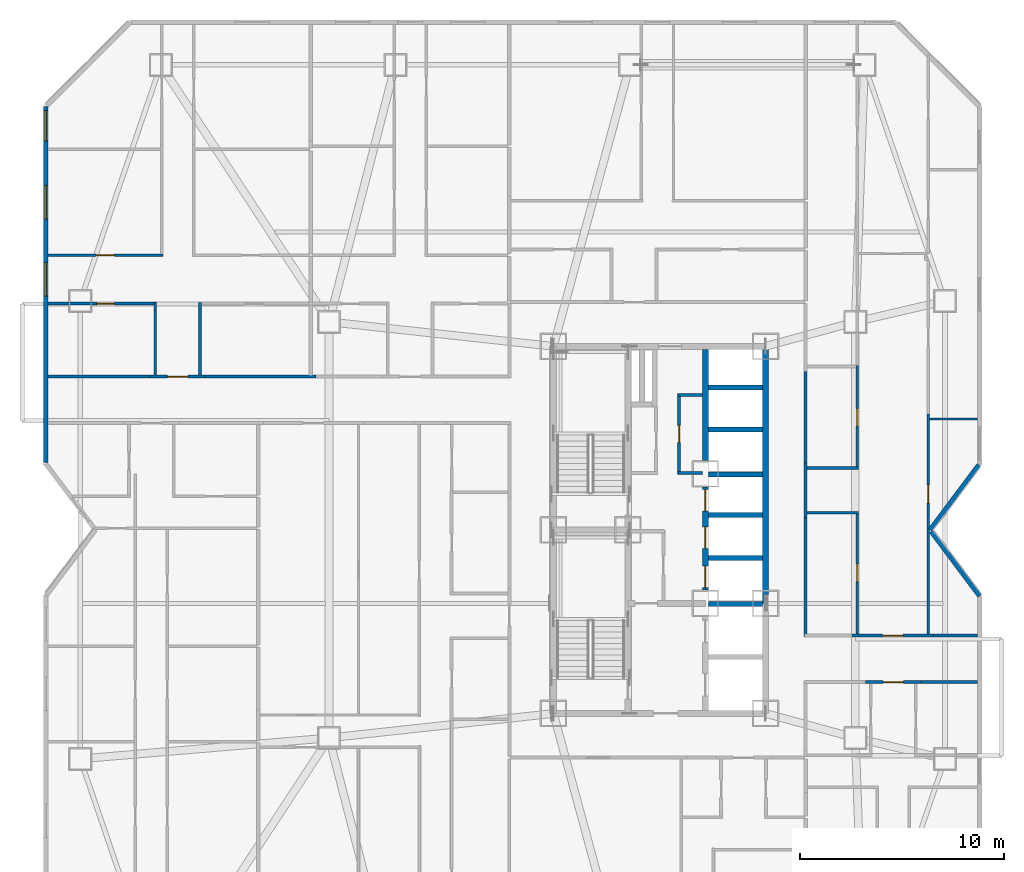
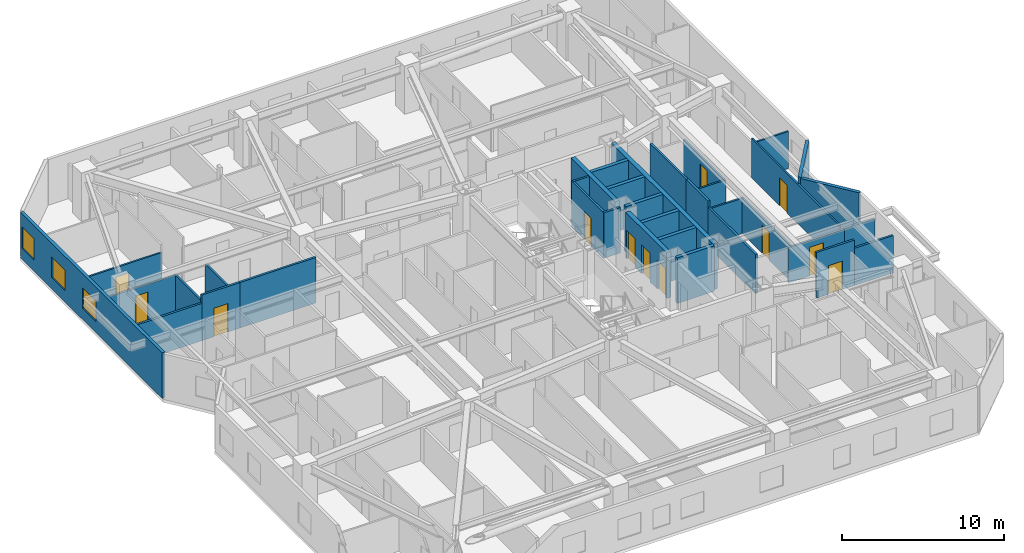
# One storey, part 11 of 17: 35 walls, 12 doors, 3 windows, 15 openings.
"""IFC4 building model written with IfcOpenShell, lengths in metres."""

from ifc_helpers import new_model, si_unit, direction, frame, frame_2d, origin, place, context, subcontext, project, spatial, rectangle, extrude, material, layer, layer_set, type_object, element, fill, save


model = new_model("IFC4")

# Units and contexts
model_context = context("Model", 3, precision=1e-05, world=origin(), true_north=direction((0.0, 1.0)))
body_context = subcontext(model_context, "Body", "Model", "MODEL_VIEW")
ifc_project = project(units=[si_unit("LENGTHUNIT", "METRE"), si_unit("AREAUNIT", "SQUARE_METRE"), si_unit("VOLUMEUNIT", "CUBIC_METRE"), si_unit("PLANEANGLEUNIT", "RADIAN"), si_unit("MASSUNIT", "GRAM", prefix="KILO")], contexts=[model_context])

# Site, building, storey
site_placement = place(None, origin())
site = spatial("IfcSite", under=ifc_project, at=site_placement, CompositionType="ELEMENT")
building_placement = place(site_placement, origin())
building = spatial("IfcBuilding", under=site, at=building_placement, Name="Khamvora Tower", CompositionType="ELEMENT")
storey_placement = place(building_placement, frame((0.0, 0.0, 73.449951171875)))
storey = spatial("IfcBuildingStorey", under=building, at=storey_placement, Name="L18", CompositionType="ELEMENT", Elevation=73.449951171875)

# Wall
ifc_material_1 = material(Name="Concrete C50/60", Category="concrete")
ifc_layer_1 = layer(ifc_material_1, 0.300048828125)
ifc_layer_set_1 = layer_set([ifc_layer_1], Name="Concrete C50/60")
wall_type_1 = type_object("IfcWallType", Name="WAL-CORE-300", PredefinedType="SHEAR", material=ifc_layer_set_1)
wall_1_placement = place(storey_placement, frame((39.39990234375, 24.39990234375, 0.0), z_axis=(0.0, 0.0, 1.0), x_axis=(0.0, 1.0, 0.0)))
element("IfcWall", 1, at=wall_1_placement, inside=storey, type_object=wall_type_1, Name="L18 central core east north wall", PredefinedType="SHEAR", context=body_context, shape_type="SweptSolid", body=[
    extrude(rectangle(XDim=12.60009765625, YDim=0.300048828125, at=frame_2d((6.300048828125, 0.0))), origin(), (0.0, 0.0, 1.0), 3.429931640625),
])

# Wall, openings, doors
wall_2_placement = place(storey_placement, frame((36.449951171875, 25.050048828125, 0.0), z_axis=(0.0, 0.0, 1.0), x_axis=(0.0, 1.0, 0.0)))
wall_2 = element("IfcWall", 2, at=wall_2_placement, inside=storey, type_object=wall_type_1, Name="L18 central core lift bank central wall", PredefinedType="SHEAR", context=body_context, shape_type="SweptSolid", body=[
    extrude(rectangle(XDim=5.050048828125, YDim=0.300048828125, at=frame_2d((2.52490234375, 0.0))), origin(), (0.0, 0.0, 1.0), 3.429931640625),
])
opening_1_placement = place(wall_2_placement, frame((0.1201171875, 0.0, 0.0)))
opening_1 = element("IfcOpeningElement", 3, at=opening_1_placement, cuts=wall_2, Name="Opening LD-PL", PredefinedType="OPENING", context=body_context, shape_type="SweptSolid", body=[
    extrude(rectangle(XDim=1.050048828125, YDim=2.14990234375, at=frame_2d((0.52490234375, 1.074951171875))), frame((0.0, 0.159912109375, 0.0), z_axis=(0.0, -1.0, 0.0), x_axis=(1.0, 0.0, 0.0)), (0.0, 0.0, 1.0), 0.320068359375),
])
opening_2_placement = place(wall_2_placement, frame((2.044921875, 0.0, 0.0)))
opening_2 = element("IfcOpeningElement", 4, at=opening_2_placement, cuts=wall_2, Name="Opening LD-PL", PredefinedType="OPENING", context=body_context, shape_type="SweptSolid", body=[
    extrude(rectangle(XDim=1.050048828125, YDim=2.14990234375, at=frame_2d((0.52490234375, 1.074951171875))), frame((0.0, 0.159912109375, 0.0), z_axis=(0.0, -1.0, 0.0), x_axis=(1.0, 0.0, 0.0)), (0.0, 0.0, 1.0), 0.320068359375),
])
opening_3_placement = place(wall_2_placement, frame((3.8798828125, 0.0, 0.0)))
opening_3 = element("IfcOpeningElement", 5, at=opening_3_placement, cuts=wall_2, Name="Opening LD-PL", PredefinedType="OPENING", context=body_context, shape_type="SweptSolid", body=[
    extrude(rectangle(XDim=1.050048828125, YDim=2.14990234375, at=frame_2d((0.52490234375, 1.074951171875))), frame((0.0, 0.159912109375, 0.0), z_axis=(0.0, -1.0, 0.0), x_axis=(1.0, 0.0, 0.0)), (0.0, 0.0, 1.0), 0.320068359375),
])
ifc_material_2 = material(Name="Powder-Coated Steel and Hardwood Leaf", Category="steel")
door_type_1 = type_object("IfcDoorType", Name="DOR-LIFT-1050", OperationType="SLIDING_TO_LEFT", PredefinedType="DOOR", material=ifc_material_2)
door_1_placement = place(opening_1_placement, origin())
door_1 = element("IfcDoor", 6, at=door_1_placement, inside=storey, type_object=door_type_1, Name="L18 lift landing sliding door PL-01", OperationType="SLIDING_TO_LEFT", OverallHeight=2.14990234375, OverallWidth=1.050048828125, PredefinedType="DOOR", context=body_context, shape_type="SweptSolid", body=[
    extrude(rectangle(XDim=1.050048828125, YDim=2.14990234375, at=frame_2d((0.52490234375, 1.074951171875))), frame((0.0, 0.02490234375, 0.0), z_axis=(0.0, -1.0, 0.0), x_axis=(1.0, 0.0, 0.0)), (0.0, 0.0, 1.0), 0.050048828125),
])
fill(opening_1, door_1)
door_2_placement = place(opening_2_placement, origin())
door_2 = element("IfcDoor", 7, at=door_2_placement, inside=storey, type_object=door_type_1, Name="L18 lift landing sliding door PL-02", OperationType="SLIDING_TO_LEFT", OverallHeight=2.14990234375, OverallWidth=1.050048828125, PredefinedType="DOOR", context=body_context, shape_type="SweptSolid", body=[
    extrude(rectangle(XDim=1.050048828125, YDim=2.14990234375, at=frame_2d((0.52490234375, 1.074951171875))), frame((0.0, 0.02490234375, 0.0), z_axis=(0.0, -1.0, 0.0), x_axis=(1.0, 0.0, 0.0)), (0.0, 0.0, 1.0), 0.050048828125),
])
fill(opening_2, door_2)
door_3_placement = place(opening_3_placement, origin())
door_3 = element("IfcDoor", 8, at=door_3_placement, inside=storey, type_object=door_type_1, Name="L18 lift landing sliding door PL-03", OperationType="SLIDING_TO_LEFT", OverallHeight=2.14990234375, OverallWidth=1.050048828125, PredefinedType="DOOR", context=body_context, shape_type="SweptSolid", body=[
    extrude(rectangle(XDim=1.050048828125, YDim=2.14990234375, at=frame_2d((0.52490234375, 1.074951171875))), frame((0.0, 0.02490234375, 0.0), z_axis=(0.0, -1.0, 0.0), x_axis=(1.0, 0.0, 0.0)), (0.0, 0.0, 1.0), 0.050048828125),
])
fill(opening_3, door_3)

# Walls
wall_3_placement = place(storey_placement, frame((36.449951171875, 31.39990234375, 0.0), z_axis=(0.0, 0.0, 1.0), x_axis=(0.0, 1.0, 0.0)))
element("IfcWall", 9, at=wall_3_placement, inside=storey, type_object=wall_type_1, Name="L18 central core lift bank north wall", PredefinedType="SHEAR", context=body_context, shape_type="SweptSolid", body=[
    extrude(rectangle(XDim=5.446044921875, YDim=0.300048828125, at=frame_2d((2.72314453125, 0.0))), origin(), (0.0, 0.0, 1.0), 3.429931640625),
])
ifc_material_3 = material(Name="Fire-Rated Drywall and Steel Stud", Category="steel")
ifc_layer_2 = layer(ifc_material_3, 0.14990234375)
ifc_layer_set_2 = layer_set([ifc_layer_2], Name="Fire-Rated Drywall and Steel Stud")
wall_type_2 = type_object("IfcWallType", Name="WAL-CORR-150", PredefinedType="STANDARD", material=ifc_layer_set_2)
wall_4_placement = place(storey_placement, frame((36.305908203125, 34.614990234375, 0.0), z_axis=(0.0, 0.0, 1.0), x_axis=(-1.0, 0.0, 0.0)))
element("IfcWall", 10, at=wall_4_placement, inside=storey, type_object=wall_type_2, Name="L18 interior partition wall 001", PredefinedType="STANDARD", context=body_context, shape_type="SweptSolid", body=[
    extrude(rectangle(XDim=1.205810546875, YDim=0.14990234375, at=frame_2d((0.60302734375, 0.0))), origin(), (0.0, 0.0, 1.0), 3.429931640625),
])

# Wall, opening, door
wall_5_placement = place(storey_placement, frame((35.1650390625, 34.677978515625, 0.0), z_axis=(0.0, 0.0, 1.0), x_axis=(0.0, -1.0, 0.0)))
wall_5 = element("IfcWall", 11, at=wall_5_placement, inside=storey, type_object=wall_type_2, Name="L18 interior partition wall 002", PredefinedType="STANDARD", context=body_context, shape_type="SweptSolid", body=[
    extrude(rectangle(XDim=3.9580078125, YDim=0.14990234375, at=frame_2d((1.97900390625, 0.0))), origin(), (0.0, 0.0, 1.0), 3.429931640625),
])
opening_4_placement = place(wall_5_placement, frame((1.553955078125, 0.0, 0.0)))
opening_4 = element("IfcOpeningElement", 12, at=opening_4_placement, cuts=wall_5, Name="Opening D-WC1", PredefinedType="OPENING", context=body_context, shape_type="SweptSolid", body=[
    extrude(rectangle(XDim=0.85009765625, YDim=2.10009765625, at=frame_2d((0.425048828125, 1.050048828125))), frame((0.0, 0.0849609375, 0.0), z_axis=(0.0, -1.0, 0.0), x_axis=(1.0, 0.0, 0.0)), (0.0, 0.0, 1.0), 0.169921875),
])
door_type_2 = type_object("IfcDoorType", Name="DOR-WET-850", OperationType="NOTDEFINED", PredefinedType="DOOR", material=ifc_material_2)
door_4_placement = place(opening_4_placement, origin())
door_4 = element("IfcDoor", 13, at=door_4_placement, inside=storey, type_object=door_type_2, Name="L18 interior door PLL-CS1", OperationType="SINGLE_SWING_RIGHT", OverallHeight=2.10009765625, OverallWidth=0.85009765625, PredefinedType="DOOR", context=body_context, shape_type="SweptSolid", body=[
    extrude(rectangle(XDim=0.85009765625, YDim=2.10009765625, at=frame_2d((0.425048828125, 1.050048828125))), frame((0.0, 0.02490234375, 0.0), z_axis=(0.0, -1.0, 0.0), x_axis=(1.0, 0.0, 0.0)), (0.0, 0.0, 1.0), 0.050048828125),
])
fill(opening_4, door_4)

# Wall
wall_6_placement = place(storey_placement, frame((35.10205078125, 30.784912109375, 0.0), z_axis=(0.0, 0.0, 1.0), x_axis=(1.0, 0.0, 0.0)))
element("IfcWall", 14, at=wall_6_placement, inside=storey, type_object=wall_type_2, Name="L18 interior partition wall 003", PredefinedType="STANDARD", context=body_context, shape_type="SweptSolid", body=[
    extrude(rectangle(XDim=1.197998046875, YDim=0.14990234375, at=frame_2d((0.59912109375, 0.0))), origin(), (0.0, 0.0, 1.0), 3.429931640625),
])

# Wall, opening, door
wall_7_placement = place(storey_placement, frame((9.22607421875, 35.514892578125, 0.0), z_axis=(0.0, 0.0, 1.0), x_axis=(1.0, 0.0, 0.0)))
wall_7 = element("IfcWall", 15, at=wall_7_placement, inside=storey, type_object=wall_type_2, Name="L18 interior partition wall 021", PredefinedType="STANDARD", context=body_context, shape_type="SweptSolid", body=[
    extrude(rectangle(XDim=2.697998046875, YDim=0.14990234375, at=frame_2d((1.34912109375, 0.0))), origin(), (0.0, 0.0, 1.0), 3.429931640625),
])
opening_5_placement = place(wall_7_placement, frame((0.84912109375, 0.0, 0.0)))
opening_5 = element("IfcOpeningElement", 16, at=opening_5_placement, cuts=wall_7, Name="Opening D-U1", PredefinedType="OPENING", context=body_context, shape_type="SweptSolid", body=[
    extrude(rectangle(XDim=1.0, YDim=2.14990234375, at=frame_2d((0.5, 1.074951171875))), frame((0.0, 0.0849609375, 0.0), z_axis=(0.0, -1.0, 0.0), x_axis=(1.0, 0.0, 0.0)), (0.0, 0.0, 1.0), 0.169921875),
])
door_type_3 = type_object("IfcDoorType", Name="DOR-UNIT-1000", OperationType="NOTDEFINED", PredefinedType="DOOR", material=ifc_material_2)
door_5_placement = place(opening_5_placement, origin())
door_5 = element("IfcDoor", 17, at=door_5_placement, inside=storey, type_object=door_type_3, Name="L18 interior door COR-18WBH", OperationType="SINGLE_SWING_LEFT", OverallHeight=2.14990234375, OverallWidth=1.0, PredefinedType="DOOR", context=body_context, shape_type="SweptSolid", body=[
    extrude(rectangle(XDim=1.0, YDim=2.14990234375, at=frame_2d((0.5, 1.074951171875))), frame((0.0, 0.02490234375, 0.0), z_axis=(0.0, -1.0, 0.0), x_axis=(1.0, 0.0, 0.0)), (0.0, 0.0, 1.0), 0.050048828125),
])
fill(opening_5, door_5)

# Walls
wall_8_placement = place(storey_placement, frame((4.2119140625, 35.514892578125, 0.0), z_axis=(0.0, 0.0, 1.0), x_axis=(1.0, 0.0, 0.0)))
element("IfcWall", 18, at=wall_8_placement, inside=storey, type_object=wall_type_2, Name="L18 interior partition wall 022", PredefinedType="STANDARD", context=body_context, shape_type="SweptSolid", body=[
    extrude(rectangle(XDim=5.01416015625, YDim=0.14990234375, at=frame_2d((2.507080078125, 0.0))), origin(), (0.0, 0.0, 1.0), 2.802978515625),
])
wall_9_placement = place(storey_placement, frame((11.924072265625, 35.514892578125, 0.0), z_axis=(0.0, 0.0, 1.0), x_axis=(1.0, 0.0, 0.0)))
element("IfcWall", 19, at=wall_9_placement, inside=storey, type_object=wall_type_2, Name="L18 interior partition wall 023", PredefinedType="STANDARD", context=body_context, shape_type="SweptSolid", body=[
    extrude(rectangle(XDim=5.429931640625, YDim=0.14990234375, at=frame_2d((2.71484375, 0.0))), origin(), (0.0, 0.0, 1.0), 3.429931640625),
])

# Wall, opening, door
wall_10_placement = place(storey_placement, frame((47.009033203125, 20.534912109375, 0.0), z_axis=(0.0, 0.0, 1.0), x_axis=(-1.0, 0.0, 0.0)))
wall_10 = element("IfcWall", 20, at=wall_10_placement, inside=storey, type_object=wall_type_2, Name="L18 interior partition wall 035", PredefinedType="STANDARD", context=body_context, shape_type="SweptSolid", body=[
    extrude(rectangle(XDim=2.697998046875, YDim=0.14990234375, at=frame_2d((1.34912109375, 0.0))), origin(), (0.0, 0.0, 1.0), 3.429931640625),
])
opening_6_placement = place(wall_10_placement, frame((0.84912109375, 0.0, 0.0)))
opening_6 = element("IfcOpeningElement", 21, at=opening_6_placement, cuts=wall_10, Name="Opening D-U1", PredefinedType="OPENING", context=body_context, shape_type="SweptSolid", body=[
    extrude(rectangle(XDim=1.0, YDim=2.14990234375, at=frame_2d((0.5, 1.074951171875))), frame((0.0, 0.0849609375, 0.0), z_axis=(0.0, -1.0, 0.0), x_axis=(1.0, 0.0, 0.0)), (0.0, 0.0, 1.0), 0.169921875),
])
door_6_placement = place(opening_6_placement, origin())
door_6 = element("IfcDoor", 22, at=door_6_placement, inside=storey, type_object=door_type_3, Name="L18 interior door COR-18EAH", OperationType="SINGLE_SWING_LEFT", OverallHeight=2.14990234375, OverallWidth=1.0, PredefinedType="DOOR", context=body_context, shape_type="SweptSolid", body=[
    extrude(rectangle(XDim=1.0, YDim=2.14990234375, at=frame_2d((0.5, 1.074951171875))), frame((0.0, 0.02490234375, 0.0), z_axis=(0.0, -1.0, 0.0), x_axis=(1.0, 0.0, 0.0)), (0.0, 0.0, 1.0), 0.050048828125),
])
fill(opening_6, door_6)

# Walls
wall_11_placement = place(storey_placement, frame((49.7880859375, 20.534912109375, 0.0), z_axis=(0.0, 0.0, 1.0), x_axis=(-1.0, 0.0, 0.0)))
element("IfcWall", 23, at=wall_11_placement, inside=storey, type_object=wall_type_2, Name="L18 interior partition wall 039", PredefinedType="STANDARD", context=body_context, shape_type="SweptSolid", body=[
    extrude(rectangle(XDim=2.779052734375, YDim=0.14990234375, at=frame_2d((1.3896484375, 0.0))), origin(), (0.0, 0.0, 1.0), 2.802978515625),
])
wall_12_placement = place(storey_placement, frame((41.364990234375, 31.2900390625, 0.0), z_axis=(0.0, 0.0, 1.0), x_axis=(0.0, -1.0, 0.0)))
element("IfcWall", 24, at=wall_12_placement, inside=storey, type_object=wall_type_2, Name="L18 interior partition wall 041", PredefinedType="STANDARD", context=body_context, shape_type="SweptSolid", body=[
    extrude(rectangle(XDim=2.697998046875, YDim=0.14990234375, at=frame_2d((1.34912109375, 0.0))), origin(), (0.0, 0.0, 1.0), 3.429931640625),
])

# Wall, opening, door
wall_13_placement = place(storey_placement, frame((43.64599609375, 22.81494140625, 0.0), z_axis=(0.0, 0.0, 1.0), x_axis=(1.0, 0.0, 0.0)))
wall_13 = element("IfcWall", 25, at=wall_13_placement, inside=storey, type_object=wall_type_2, Name="L18 interior partition wall 042", PredefinedType="STANDARD", context=body_context, shape_type="SweptSolid", body=[
    extrude(rectangle(XDim=3.97802734375, YDim=0.14990234375, at=frame_2d((1.989013671875, 0.0))), origin(), (0.0, 0.0, 1.0), 2.64697265625),
])
opening_7_placement = place(wall_13_placement, frame((1.489013671875, 0.0, 0.0)))
opening_7 = element("IfcOpeningElement", 26, at=opening_7_placement, cuts=wall_13, Name="Opening D-U1", PredefinedType="OPENING", context=body_context, shape_type="SweptSolid", body=[
    extrude(rectangle(XDim=1.0, YDim=2.14990234375, at=frame_2d((0.5, 1.074951171875))), frame((0.0, 0.0849609375, 0.0), z_axis=(0.0, -1.0, 0.0), x_axis=(1.0, 0.0, 0.0)), (0.0, 0.0, 1.0), 0.169921875),
])
door_7_placement = place(opening_7_placement, origin())
door_7 = element("IfcDoor", 27, at=door_7_placement, inside=storey, type_object=door_type_3, Name="L18 interior door COR-18EBH", OperationType="SINGLE_SWING_RIGHT", OverallHeight=2.14990234375, OverallWidth=1.0, PredefinedType="DOOR", context=body_context, shape_type="SweptSolid", body=[
    extrude(rectangle(XDim=1.0, YDim=2.14990234375, at=frame_2d((0.5, 1.074951171875))), frame((0.0, 0.02490234375, 0.0), z_axis=(0.0, -1.0, 0.0), x_axis=(1.0, 0.0, 0.0)), (0.0, 0.0, 1.0), 0.050048828125),
])
fill(opening_7, door_7)

# Walls
wall_14_placement = place(storey_placement, frame((41.364990234375, 35.757080078125, 0.0), z_axis=(0.0, 0.0, 1.0), x_axis=(0.0, -1.0, 0.0)))
element("IfcWall", 28, at=wall_14_placement, inside=storey, type_object=wall_type_2, Name="L18 interior partition wall 043", PredefinedType="STANDARD", context=body_context, shape_type="SweptSolid", body=[
    extrude(rectangle(XDim=4.467041015625, YDim=0.14990234375, at=frame_2d((2.2333984375, 0.0))), origin(), (0.0, 0.0, 1.0), 3.429931640625),
])
wall_15_placement = place(storey_placement, frame((41.364990234375, 28.592041015625, 0.0), z_axis=(0.0, 0.0, 1.0), x_axis=(0.0, -1.0, 0.0)))
element("IfcWall", 29, at=wall_15_placement, inside=storey, type_object=wall_type_2, Name="L18 interior partition wall 044", PredefinedType="STANDARD", context=body_context, shape_type="SweptSolid", body=[
    extrude(rectangle(XDim=5.842041015625, YDim=0.14990234375, at=frame_2d((2.9208984375, 0.0))), origin(), (0.0, 0.0, 1.0), 2.95703125),
])
wall_16_placement = place(storey_placement, frame((47.6240234375, 22.81494140625, 0.0), z_axis=(0.0, 0.0, 1.0), x_axis=(1.0, 0.0, 0.0)))
element("IfcWall", 30, at=wall_16_placement, inside=storey, type_object=wall_type_2, Name="L18 interior partition wall 046", PredefinedType="STANDARD", context=body_context, shape_type="SweptSolid", body=[
    extrude(rectangle(XDim=2.1640625, YDim=0.14990234375, at=frame_2d((1.08203125, 0.0))), origin(), (0.0, 0.0, 1.0), 2.68701171875),
])

# Wall, openings, windows
ifc_material_4 = material(Name="Precast concrete C40/50", Category="concrete")
ifc_layer_3 = layer(ifc_material_4, 0.219970703125)
ifc_layer_set_3 = layer_set([ifc_layer_3], Name="Precast concrete C40/50")
wall_type_3 = type_object("IfcWallType", Name="WAL-EXT-220", PredefinedType="STANDARD", material=ifc_layer_set_3)
wall_17_placement = place(storey_placement, frame((4.110107421875, 31.294921875, 0.0), z_axis=(0.0, 0.0, 1.0), x_axis=(0.0, 1.0, 0.0)))
wall_17 = element("IfcWall", 31, at=wall_17_placement, inside=storey, type_object=wall_type_3, Name="L18 exterior facade wall 05.1", PredefinedType="STANDARD", context=body_context, shape_type="SweptSolid", body=[
    extrude(rectangle(XDim=17.458984375, YDim=0.219970703125, at=frame_2d((8.7294921875, 0.0))), origin(), (0.0, 0.0, 1.0), 3.429931640625),
])
opening_8_placement = place(wall_17_placement, frame((8.1650390625, 0.0, 0.85009765625)))
opening_8 = element("IfcOpeningElement", 32, at=opening_8_placement, cuts=wall_17, Name="Opening WN-06", PredefinedType="OPENING", context=body_context, shape_type="SweptSolid", body=[
    extrude(rectangle(XDim=1.64990234375, YDim=1.550048828125, at=frame_2d((0.824951171875, 0.77490234375))), frame((0.0, 0.119873046875, 0.0), z_axis=(0.0, -1.0, 0.0), x_axis=(1.0, 0.0, 0.0)), (0.0, 0.0, 1.0), 0.239990234375),
])
opening_9_placement = place(wall_17_placement, frame((11.944091796875, 0.0, 0.85009765625)))
opening_9 = element("IfcOpeningElement", 33, at=opening_9_placement, cuts=wall_17, Name="Opening WN-06", PredefinedType="OPENING", context=body_context, shape_type="SweptSolid", body=[
    extrude(rectangle(XDim=1.64990234375, YDim=1.550048828125, at=frame_2d((0.824951171875, 0.77490234375))), frame((0.0, 0.119873046875, 0.0), z_axis=(0.0, -1.0, 0.0), x_axis=(1.0, 0.0, 0.0)), (0.0, 0.0, 1.0), 0.239990234375),
])
opening_10_placement = place(wall_17_placement, frame((15.76611328125, 0.0, 0.85009765625)))
opening_10 = element("IfcOpeningElement", 34, at=opening_10_placement, cuts=wall_17, Name="Opening WN-02", PredefinedType="OPENING", context=body_context, shape_type="SweptSolid", body=[
    extrude(rectangle(XDim=1.5, YDim=1.60009765625, at=frame_2d((0.75, 0.800048828125))), frame((0.0, 0.119873046875, 0.0), z_axis=(0.0, -1.0, 0.0), x_axis=(1.0, 0.0, 0.0)), (0.0, 0.0, 1.0), 0.239990234375),
])
ifc_material_5 = material(Name="Low-E Laminated Double Glazing", Category="glass")
window_type_1 = type_object("IfcWindowType", Name="WIN-VIS-1500x1600", PartitioningType="SINGLE_PANEL", PredefinedType="WINDOW", material=ifc_material_5)
window_1_placement = place(opening_10_placement, origin())
window_1 = element("IfcWindow", 35, at=window_1_placement, inside=storey, type_object=window_type_1, Name="L18 vision window 05.1.03", OverallHeight=1.60009765625, OverallWidth=1.5, PartitioningType="SINGLE_PANEL", PredefinedType="WINDOW", context=body_context, shape_type="SweptSolid", body=[
    extrude(rectangle(XDim=1.5, YDim=1.60009765625, at=frame_2d((0.75, 0.800048828125))), frame((0.0, 0.030029296875, 0.0), z_axis=(0.0, -1.0, 0.0), x_axis=(1.0, 0.0, 0.0)), (0.0, 0.0, 1.0), 0.06005859375),
])
fill(opening_10, window_1)
window_type_2 = type_object("IfcWindowType", Name="WIN-VIS-1650x1550", PartitioningType="SINGLE_PANEL", PredefinedType="WINDOW", material=ifc_material_5)
window_2_placement = place(opening_8_placement, origin())
window_2 = element("IfcWindow", 36, at=window_2_placement, inside=storey, type_object=window_type_2, Name="L18 vision window 05.1.01", OverallHeight=1.550048828125, OverallWidth=1.64990234375, PartitioningType="SINGLE_PANEL", PredefinedType="WINDOW", context=body_context, shape_type="SweptSolid", body=[
    extrude(rectangle(XDim=1.64990234375, YDim=1.550048828125, at=frame_2d((0.824951171875, 0.77490234375))), frame((0.0, 0.030029296875, 0.0), z_axis=(0.0, -1.0, 0.0), x_axis=(1.0, 0.0, 0.0)), (0.0, 0.0, 1.0), 0.06005859375),
])
fill(opening_8, window_2)
window_3_placement = place(opening_9_placement, origin())
window_3 = element("IfcWindow", 37, at=window_3_placement, inside=storey, type_object=window_type_2, Name="L18 vision window 05.1.02", OverallHeight=1.550048828125, OverallWidth=1.64990234375, PartitioningType="SINGLE_PANEL", PredefinedType="WINDOW", context=body_context, shape_type="SweptSolid", body=[
    extrude(rectangle(XDim=1.64990234375, YDim=1.550048828125, at=frame_2d((0.824951171875, 0.77490234375))), frame((0.0, 0.030029296875, 0.0), z_axis=(0.0, -1.0, 0.0), x_axis=(1.0, 0.0, 0.0)), (0.0, 0.0, 1.0), 0.06005859375),
])
fill(opening_9, window_3)

# Walls
wall_18_placement = place(storey_placement, frame((49.85595703125, 31.19091796875, 0.0), z_axis=(0.0, 0.0, 1.0), x_axis=(-0.600137081448, -0.799897170561, 0.0)))
element("IfcWall", 38, at=wall_18_placement, inside=storey, type_object=wall_type_3, Name="L18 exterior facade wall 10.1", PredefinedType="STANDARD", context=body_context, shape_type="SweptSolid", body=[
    extrude(rectangle(XDim=3.9892578125, YDim=0.219970703125, at=frame_2d((1.99462890625, 0.0))), origin(), (0.0, 0.0, 1.0), 3.429931640625),
])
wall_19_placement = place(storey_placement, frame((47.51904296875, 27.923095703125, 0.0), z_axis=(0.0, 0.0, 1.0), x_axis=(0.600118645218, -0.799911002338, 0.0)))
element("IfcWall", 39, at=wall_19_placement, inside=storey, type_object=wall_type_3, Name="L18 exterior facade wall 11.1", PredefinedType="STANDARD", context=body_context, shape_type="SweptSolid", body=[
    extrude(rectangle(XDim=3.95068359375, YDim=0.219970703125, at=frame_2d((1.975341796875, 0.0))), origin(), (0.0, 0.0, 1.0), 3.429931640625),
])

# Wall, opening, door
ifc_material_6 = material(Name="Gypsum Plasterboard Partition", Category="gypsum")
ifc_layer_4 = layer(ifc_material_6, 0.1201171875)
ifc_layer_set_4 = layer_set([ifc_layer_4], Name="Gypsum Plasterboard Partition")
wall_type_4 = type_object("IfcWallType", Name="WAL-PART-120", PredefinedType="PARTITIONING", material=ifc_layer_set_4)
wall_20_placement = place(storey_placement, frame((4.2119140625, 41.47509765625, 0.0), z_axis=(0.0, 0.0, 1.0), x_axis=(1.0, 0.0, 0.0)))
wall_20 = element("IfcWall", 40, at=wall_20_placement, inside=storey, type_object=wall_type_4, Name="L18 interior partition wall 098", PredefinedType="PARTITIONING", context=body_context, shape_type="SweptSolid", body=[
    extrude(rectangle(XDim=5.64306640625, YDim=0.1201171875, at=frame_2d((2.821533203125, 0.0))), origin(), (0.0, 0.0, 1.0), 2.802978515625),
])
opening_11_placement = place(wall_20_placement, frame((2.37109375, 0.0, 0.0)))
opening_11 = element("IfcOpeningElement", 41, at=opening_11_placement, cuts=wall_20, Name="Opening D-RM1", PredefinedType="OPENING", context=body_context, shape_type="SweptSolid", body=[
    extrude(rectangle(XDim=0.89990234375, YDim=2.10009765625, at=frame_2d((0.449951171875, 1.050048828125))), frame((0.0, 0.070068359375, 0.0), z_axis=(0.0, -1.0, 0.0), x_axis=(1.0, 0.0, 0.0)), (0.0, 0.0, 1.0), 0.14013671875),
])
door_type_4 = type_object("IfcDoorType", Name="DOR-ROOM-900", OperationType="NOTDEFINED", PredefinedType="DOOR", material=ifc_material_2)
door_8_placement = place(opening_11_placement, origin())
door_8 = element("IfcDoor", 42, at=door_8_placement, inside=storey, type_object=door_type_4, Name="L18 interior door 18WBH-18WBL", OperationType="SINGLE_SWING_LEFT", OverallHeight=2.10009765625, OverallWidth=0.89990234375, PredefinedType="DOOR", context=body_context, shape_type="SweptSolid", body=[
    extrude(rectangle(XDim=0.89990234375, YDim=2.10009765625, at=frame_2d((0.449951171875, 1.050048828125))), frame((0.0, 0.02490234375, 0.0), z_axis=(0.0, -1.0, 0.0), x_axis=(1.0, 0.0, 0.0)), (0.0, 0.0, 1.0), 0.050048828125),
])
fill(opening_11, door_8)

wall_21_placement = place(storey_placement, frame((47.375, 33.68701171875, 0.0), z_axis=(0.0, 0.0, 1.0), x_axis=(0.0, -1.0, 0.0)))
wall_21 = element("IfcWall", 43, at=wall_21_placement, inside=storey, type_object=wall_type_4, Name="L18 interior partition wall 170", PredefinedType="PARTITIONING", context=body_context, shape_type="SweptSolid", body=[
    extrude(rectangle(XDim=10.804931640625, YDim=0.1201171875, at=frame_2d((5.40234375, 0.0))), origin(), (0.0, 0.0, 1.0), 2.95703125),
])
opening_12_placement = place(wall_21_placement, frame((3.47998046875, 0.0, 0.0)))
opening_12 = element("IfcOpeningElement", 44, at=opening_12_placement, cuts=wall_21, Name="Opening D-RM1", PredefinedType="OPENING", context=body_context, shape_type="SweptSolid", body=[
    extrude(rectangle(XDim=0.89990234375, YDim=2.10009765625, at=frame_2d((0.449951171875, 1.050048828125))), frame((0.0, 0.070068359375, 0.0), z_axis=(0.0, -1.0, 0.0), x_axis=(1.0, 0.0, 0.0)), (0.0, 0.0, 1.0), 0.14013671875),
])
door_9_placement = place(opening_12_placement, origin())
door_9 = element("IfcDoor", 45, at=door_9_placement, inside=storey, type_object=door_type_4, Name="L18 interior door 18EBH-18EBL", OperationType="SINGLE_SWING_LEFT", OverallHeight=2.10009765625, OverallWidth=0.89990234375, PredefinedType="DOOR", context=body_context, shape_type="SweptSolid", body=[
    extrude(rectangle(XDim=0.89990234375, YDim=2.10009765625, at=frame_2d((0.449951171875, 1.050048828125))), frame((0.0, 0.02490234375, 0.0), z_axis=(0.0, -1.0, 0.0), x_axis=(1.0, 0.0, 0.0)), (0.0, 0.0, 1.0), 0.050048828125),
])
fill(opening_12, door_9)

# Walls
wall_22_placement = place(storey_placement, frame((47.428955078125, 33.43798828125, 0.0), z_axis=(0.0, 0.0, 1.0), x_axis=(1.0, 0.0, 0.0)))
element("IfcWall", 46, at=wall_22_placement, inside=storey, type_object=wall_type_4, Name="L18 interior partition wall 174", PredefinedType="PARTITIONING", context=body_context, shape_type="SweptSolid", body=[
    extrude(rectangle(XDim=2.359130859375, YDim=0.1201171875, at=frame_2d((1.1796875, 0.0))), origin(), (0.0, 0.0, 1.0), 2.802978515625),
])
ifc_material_7 = material(Name="Concrete C40/50", Category="concrete")
ifc_layer_5 = layer(ifc_material_7, 0.25)
ifc_layer_set_5 = layer_set([ifc_layer_5], Name="Concrete C40/50")
wall_type_5 = type_object("IfcWallType", Name="WAL-PODS-250", PredefinedType="SHEAR", material=ifc_layer_set_5)
for number, where, z_axis, x_axis, name in (
    (47, (36.60400390625, 24.375, 0.0), (0.0, 0.0, 1.0), (1.0, 0.0, 0.0), "L18 lift shaft divider wall FFL-02"),
    (48, (36.60400390625, 26.625, 0.0), (0.0, 0.0, 1.0), (1.0, 0.0, 0.0), "L18 lift shaft divider wall PL-01"),
    (49, (36.60400390625, 28.72509765625, 0.0), (0.0, 0.0, 1.0), (1.0, 0.0, 0.0), "L18 lift shaft divider wall PL-02"),
    (50, (36.60400390625, 30.72509765625, 0.0), (0.0, 0.0, 1.0), (1.0, 0.0, 0.0), "L18 lift shaft divider wall PL-03"),
    (51, (36.60400390625, 32.925048828125, 0.0), (0.0, 0.0, 1.0), (1.0, 0.0, 0.0), "L18 lift shaft divider wall PH-01"),
    (52, (36.60400390625, 34.97509765625, 0.0), (0.0, 0.0, 1.0), (1.0, 0.0, 0.0), "L18 lift shaft divider wall PH-02"),
):
    element("IfcWall", number, at=place(storey_placement, frame(where, z_axis=z_axis, x_axis=x_axis)), inside=storey, type_object=wall_type_5, Name=name, PredefinedType="SHEAR", context=body_context, shape_type="SweptSolid", body=[
        extrude(rectangle(XDim=2.64208984375, YDim=0.25, at=frame_2d((1.321044921875, 0.0))), origin(), (0.0, 0.0, 1.0), 3.429931640625),
    ])
ifc_material_8 = material(Name="Moisture-Resistant Plasterboard Partition", Category="gypsum")
ifc_layer_6 = layer(ifc_material_8, 0.135009765625)
ifc_layer_set_6 = layer_set([ifc_layer_6], Name="Moisture-Resistant Plasterboard Partition")
wall_type_6 = type_object("IfcWallType", Name="WAL-WET-135", PredefinedType="PARTITIONING", material=ifc_layer_set_6)
wall_23_placement = place(storey_placement, frame((9.47509765625, 35.58203125, 0.0), z_axis=(0.0, 0.0, 1.0), x_axis=(0.0, 1.0, 0.0)))
element("IfcWall", 53, at=wall_23_placement, inside=storey, type_object=wall_type_6, Name="L18 interior partition wall 094", PredefinedType="PARTITIONING", context=body_context, shape_type="SweptSolid", body=[
    extrude(rectangle(XDim=3.577880859375, YDim=0.135009765625, at=frame_2d((1.7890625, 0.0))), origin(), (0.0, 0.0, 1.0), 2.68701171875),
])

# Wall, opening, door
wall_24_placement = place(storey_placement, frame((9.5400390625, 39.094970703125, 0.0), z_axis=(0.0, 0.0, 1.0), x_axis=(-1.0, 0.0, 0.0)))
wall_24 = element("IfcWall", 54, at=wall_24_placement, inside=storey, type_object=wall_type_6, Name="L18 interior partition wall 095", PredefinedType="PARTITIONING", context=body_context, shape_type="SweptSolid", body=[
    extrude(rectangle(XDim=5.328125, YDim=0.135009765625, at=frame_2d((2.6640625, 0.0))), origin(), (0.0, 0.0, 1.0), 2.68701171875),
])
opening_13_placement = place(wall_24_placement, frame((2.072021484375, 0.0, 0.0)))
opening_13 = element("IfcOpeningElement", 55, at=opening_13_placement, cuts=wall_24, Name="Opening D-WC1", PredefinedType="OPENING", context=body_context, shape_type="SweptSolid", body=[
    extrude(rectangle(XDim=0.85009765625, YDim=2.10009765625, at=frame_2d((0.425048828125, 1.050048828125))), frame((0.0, 0.077392578125, 0.0), z_axis=(0.0, -1.0, 0.0), x_axis=(1.0, 0.0, 0.0)), (0.0, 0.0, 1.0), 0.155029296875),
])
door_10_placement = place(opening_13_placement, origin())
door_10 = element("IfcDoor", 56, at=door_10_placement, inside=storey, type_object=door_type_2, Name="L18 interior door 18WBH-18WBB", OperationType="SINGLE_SWING_LEFT", OverallHeight=2.10009765625, OverallWidth=0.85009765625, PredefinedType="DOOR", context=body_context, shape_type="SweptSolid", body=[
    extrude(rectangle(XDim=0.85009765625, YDim=2.10009765625, at=frame_2d((0.425048828125, 1.050048828125))), frame((0.0, 0.02490234375, 0.0), z_axis=(0.0, -1.0, 0.0), x_axis=(1.0, 0.0, 0.0)), (0.0, 0.0, 1.0), 0.050048828125),
])
fill(opening_13, door_10)

# Walls
wall_25_placement = place(storey_placement, frame((11.675048828125, 39.159912109375, 0.0), z_axis=(0.0, 0.0, 1.0), x_axis=(0.0, -1.0, 0.0)))
element("IfcWall", 57, at=wall_25_placement, inside=storey, type_object=wall_type_6, Name="L18 interior partition wall 097", PredefinedType="PARTITIONING", context=body_context, shape_type="SweptSolid", body=[
    extrude(rectangle(XDim=3.577880859375, YDim=0.135009765625, at=frame_2d((1.7890625, 0.0))), origin(), (0.0, 0.0, 1.0), 2.68701171875),
])
wall_26_placement = place(storey_placement, frame((41.431884765625, 31.041015625, 0.0), z_axis=(0.0, 0.0, 1.0), x_axis=(1.0, 0.0, 0.0)))
element("IfcWall", 58, at=wall_26_placement, inside=storey, type_object=wall_type_6, Name="L18 interior partition wall 166", PredefinedType="PARTITIONING", context=body_context, shape_type="SweptSolid", body=[
    extrude(rectangle(XDim=2.528076171875, YDim=0.135009765625, at=frame_2d((1.26416015625, 0.0))), origin(), (0.0, 0.0, 1.0), 2.64697265625),
])

# Wall, opening, door
wall_27_placement = place(storey_placement, frame((43.89501953125, 30.97607421875, 0.0), z_axis=(0.0, 0.0, 1.0), x_axis=(0.0, 1.0, 0.0)))
wall_27 = element("IfcWall", 59, at=wall_27_placement, inside=storey, type_object=wall_type_6, Name="L18 interior partition wall 167", PredefinedType="PARTITIONING", context=body_context, shape_type="SweptSolid", body=[
    extrude(rectangle(XDim=5.094970703125, YDim=0.135009765625, at=frame_2d((2.54736328125, 0.0))), origin(), (0.0, 0.0, 1.0), 2.64697265625),
])
opening_14_placement = place(wall_27_placement, frame((2.123046875, 0.0, 0.0)))
opening_14 = element("IfcOpeningElement", 60, at=opening_14_placement, cuts=wall_27, Name="Opening D-WC1", PredefinedType="OPENING", context=body_context, shape_type="SweptSolid", body=[
    extrude(rectangle(XDim=0.85009765625, YDim=2.10009765625, at=frame_2d((0.425048828125, 1.050048828125))), frame((0.0, 0.077392578125, 0.0), z_axis=(0.0, -1.0, 0.0), x_axis=(1.0, 0.0, 0.0)), (0.0, 0.0, 1.0), 0.155029296875),
])
door_11_placement = place(opening_14_placement, origin())
door_11 = element("IfcDoor", 61, at=door_11_placement, inside=storey, type_object=door_type_2, Name="L18 interior door 18EBH-18EBB", OperationType="SINGLE_SWING_RIGHT", OverallHeight=2.10009765625, OverallWidth=0.85009765625, PredefinedType="DOOR", context=body_context, shape_type="SweptSolid", body=[
    extrude(rectangle(XDim=0.85009765625, YDim=2.10009765625, at=frame_2d((0.425048828125, 1.050048828125))), frame((0.0, 0.02490234375, 0.0), z_axis=(0.0, -1.0, 0.0), x_axis=(1.0, 0.0, 0.0)), (0.0, 0.0, 1.0), 0.050048828125),
])
fill(opening_14, door_11)

wall_28_placement = place(storey_placement, frame((43.89501953125, 22.882080078125, 0.0), z_axis=(0.0, 0.0, 1.0), x_axis=(0.0, 1.0, 0.0)))
wall_28 = element("IfcWall", 62, at=wall_28_placement, inside=storey, type_object=wall_type_6, Name="L18 interior partition wall 168", PredefinedType="PARTITIONING", context=body_context, shape_type="SweptSolid", body=[
    extrude(rectangle(XDim=6.02392578125, YDim=0.135009765625, at=frame_2d((3.011962890625, 0.0))), origin(), (0.0, 0.0, 1.0), 2.64697265625),
])
opening_15_placement = place(wall_28_placement, frame((2.5869140625, 0.0, 0.0)))
opening_15 = element("IfcOpeningElement", 63, at=opening_15_placement, cuts=wall_28, Name="Opening D-RM2", PredefinedType="OPENING", context=body_context, shape_type="SweptSolid", body=[
    extrude(rectangle(XDim=0.85009765625, YDim=2.10009765625, at=frame_2d((0.425048828125, 1.050048828125))), frame((0.0, 0.077392578125, 0.0), z_axis=(0.0, -1.0, 0.0), x_axis=(1.0, 0.0, 0.0)), (0.0, 0.0, 1.0), 0.155029296875),
])
door_type_5 = type_object("IfcDoorType", Name="DOR-ROOM-850", OperationType="NOTDEFINED", PredefinedType="DOOR", material=ifc_material_2)
door_12_placement = place(opening_15_placement, origin())
door_12 = element("IfcDoor", 64, at=door_12_placement, inside=storey, type_object=door_type_5, Name="L18 interior door 18EBH-18EBK", OperationType="SINGLE_SWING_LEFT", OverallHeight=2.10009765625, OverallWidth=0.85009765625, PredefinedType="DOOR", context=body_context, shape_type="SweptSolid", body=[
    extrude(rectangle(XDim=0.85009765625, YDim=2.10009765625, at=frame_2d((0.425048828125, 1.050048828125))), frame((0.0, 0.02490234375, 0.0), z_axis=(0.0, -1.0, 0.0), x_axis=(1.0, 0.0, 0.0)), (0.0, 0.0, 1.0), 0.050048828125),
])
fill(opening_15, door_12)

# Wall
wall_29_placement = place(storey_placement, frame((43.9599609375, 28.841064453125, 0.0), z_axis=(0.0, 0.0, 1.0), x_axis=(-1.0, 0.0, 0.0)))
element("IfcWall", 65, at=wall_29_placement, inside=storey, type_object=wall_type_6, Name="L18 interior partition wall 169", PredefinedType="PARTITIONING", context=body_context, shape_type="SweptSolid", body=[
    extrude(rectangle(XDim=2.528076171875, YDim=0.135009765625, at=frame_2d((1.26416015625, 0.0))), origin(), (0.0, 0.0, 1.0), 2.64697265625),
])

save(model, "model.ifc")
